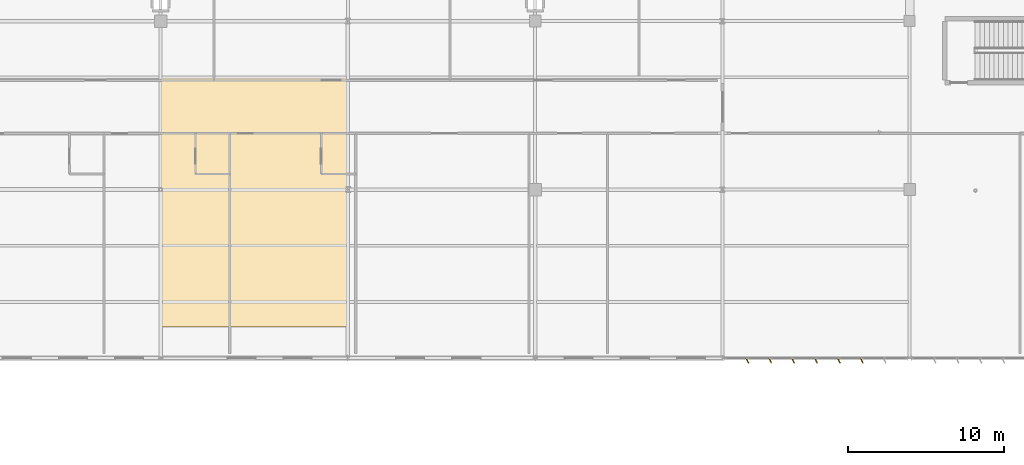
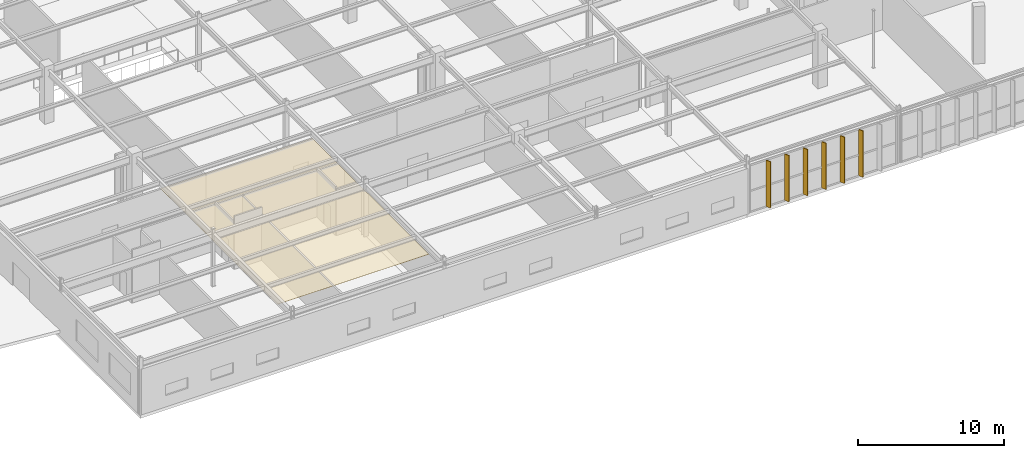
# One storey, part 176 of 199: 6 shading devices, 1 covering.
"""IFC4 building model written with IfcOpenShell, lengths in metres."""

from ifc_helpers import new_model, si_unit, direction, frame, origin, origin_2d, place, context, subcontext, project, spatial, polyline, rectangle, outline, extrude, material, layer, layer_set, type_object, element, save


model = new_model("IFC4")

# Units and contexts
model_context = context("Model", 3, precision=1e-05, world=origin(), true_north=direction((0.0, 1.0)))
body_context = subcontext(model_context, "Body", "Model", "MODEL_VIEW")
ifc_project = project(units=[si_unit("LENGTHUNIT", "METRE"), si_unit("AREAUNIT", "SQUARE_METRE"), si_unit("VOLUMEUNIT", "CUBIC_METRE"), si_unit("PLANEANGLEUNIT", "RADIAN"), si_unit("MASSUNIT", "GRAM", prefix="KILO")], contexts=[model_context])

# Site, building, storey
site_placement = place(None, origin())
site = spatial("IfcSite", under=ifc_project, at=site_placement, CompositionType="ELEMENT")
building_placement = place(site_placement, origin())
building = spatial("IfcBuilding", under=site, at=building_placement, Name="Tarnwether General Hospital", CompositionType="ELEMENT")
storey_placement = place(building_placement, origin())
storey = spatial("IfcBuildingStorey", under=building, at=storey_placement, Name="L00", CompositionType="ELEMENT", Elevation=0.0)

# Covering
ifc_material_1 = material(Name="Acoustic mineral fibre tile")
ifc_layer_1 = layer(ifc_material_1, 0.02490234375)
ifc_layer_set_1 = layer_set([ifc_layer_1], Name="Acoustic mineral fibre tile")
covering_type = type_object("IfcCoveringType", Name="CV-CLG-ACT", PredefinedType="CEILING", material=ifc_layer_set_1)
covering_placement = place(storey_placement, frame((0.0, 0.0, 3.738037109375)))
element("IfcCovering", 1, at=covering_placement, inside=storey, type_object=covering_type, Name="Acoustic Clinical Ceiling 01", PredefinedType="CEILING", context=body_context, shape_type="SweptSolid", body=[
    extrude(outline(polyline([(12.0, 2.0), (24.0, 2.0), (24.0, 18.0), (12.0, 18.0), (12.0, 2.0)])), origin(), (0.0, 0.0, 1.0), 0.02490234375),
])

# Shading devices
ifc_material_2 = material(Name="Champagne-bronze anodised aluminium", Category="aluminium")
ifc_layer_2 = layer(ifc_material_2, 0.06005859375)
ifc_layer_set_2 = layer_set([ifc_layer_2], Name="Champagne-bronze anodised aluminium")
shading_device_type = type_object("IfcShadingDeviceType", Name="SH-FIN-BRZ", PredefinedType="USERDEFINED", material=ifc_layer_set_2)
for number, where, z_axis, x_axis, name in (
    (2, (56.93310546875, -0.159912109375, 0.050048828125), (0.0, 0.0, 1.0), (-0.906307787037, -0.422618261741, 0.0), "Champagne-Bronze Brise-Soleil Fin 0069"),
    (3, (55.466064453125, -0.159912109375, 0.050048828125), (0.0, 0.0, 1.0), (-0.906307787037, -0.422618261741, 0.0), "Champagne-Bronze Brise-Soleil Fin 0070"),
    (4, (54.0, -0.159912109375, 0.050048828125), (0.0, 0.0, 1.0), (-0.906307787037, -0.422618261741, 0.0), "Champagne-Bronze Brise-Soleil Fin 0071"),
    (5, (52.533935546875, -0.159912109375, 0.050048828125), (0.0, 0.0, 1.0), (-0.906307787037, -0.422618261741, 0.0), "Champagne-Bronze Brise-Soleil Fin 0072"),
    (6, (51.06689453125, -0.159912109375, 0.050048828125), (0.0, 0.0, 1.0), (-0.906307787037, -0.422618261741, 0.0), "Champagne-Bronze Brise-Soleil Fin 0073"),
    (7, (49.60107421875, -0.159912109375, 0.050048828125), (0.0, 0.0, 1.0), (-0.906307787037, -0.422618261741, 0.0), "Champagne-Bronze Brise-Soleil Fin 0074"),
):
    element("IfcShadingDevice", number, at=place(storey_placement, frame(where, z_axis=z_axis, x_axis=x_axis)), inside=storey, type_object=shading_device_type, Name=name, ObjectType="SOLAR FIN", PredefinedType="USERDEFINED", context=body_context, shape_type="SweptSolid", body=[
        extrude(rectangle(XDim=0.06005859375, YDim=0.360107421875, at=origin_2d()), origin(), (0.0, 0.0, 1.0), 3.8701171875),
    ])

save(model, "model.ifc")
